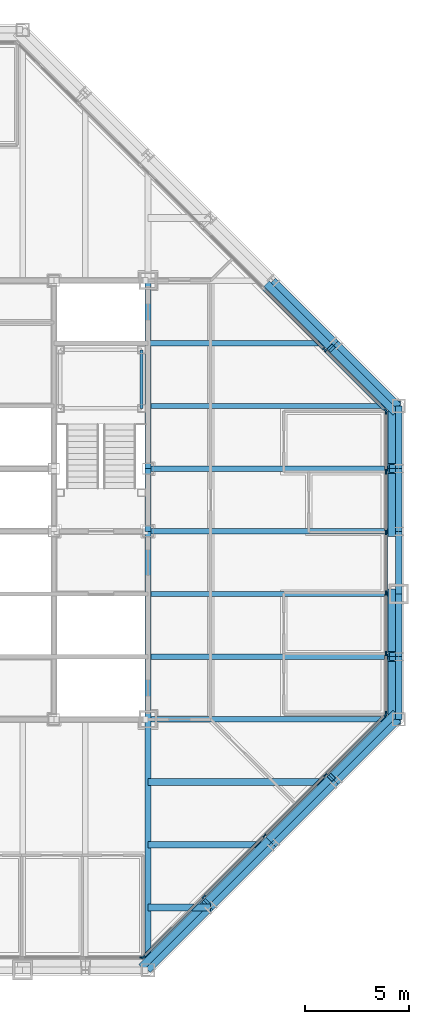
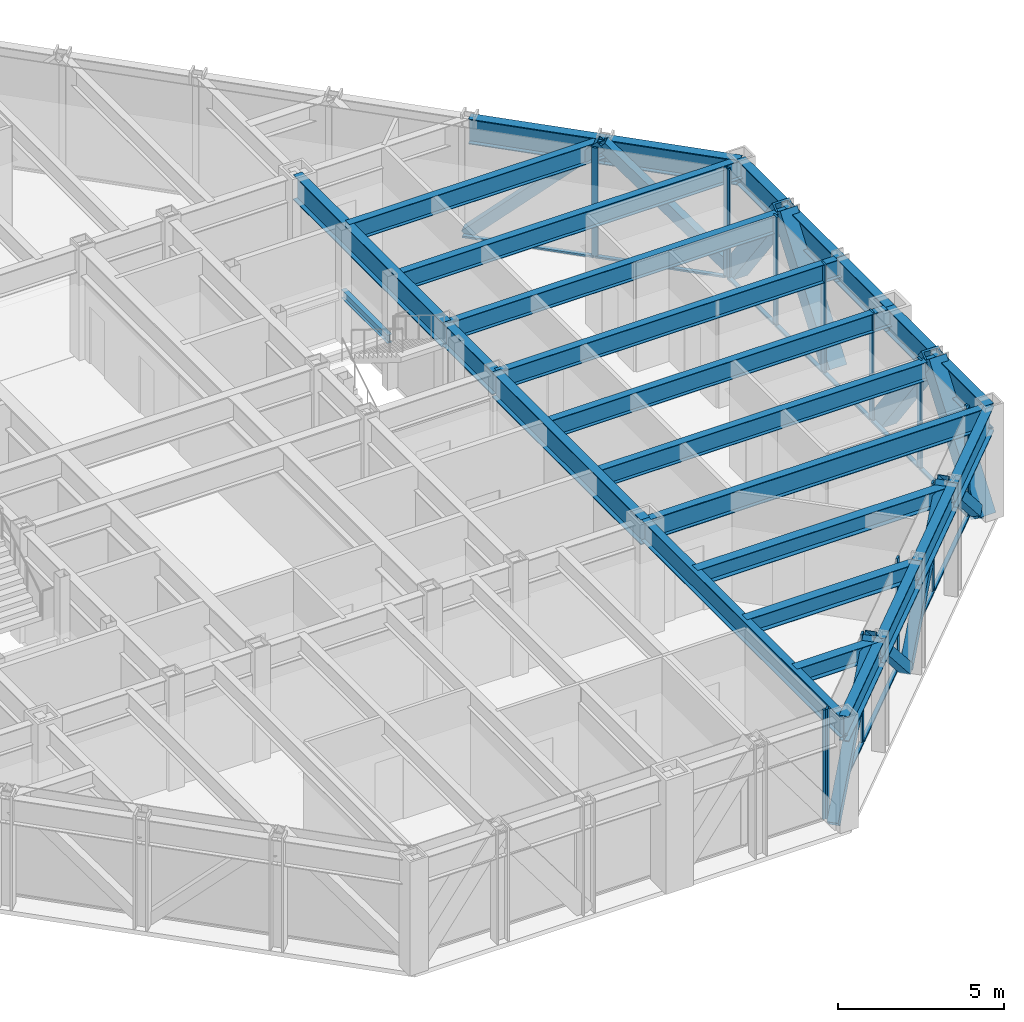
# One storey, part 7 of 16: 35 members, 26 beams, 4 elements without a shape of their own.
"""IFC4 building model written with IfcOpenShell, lengths in metres."""

from ifc_helpers import new_model, si_unit, direction, frame, origin, origin_2d, place, context, subcontext, project, spatial, rectangle, hollow_rectangle, i_section, extrude, material, layer, layer_set, material_profile, profile_set, type_object, element, aggregate, save


model = new_model("IFC4")

# Units and contexts
model_context = context("Model", 3, precision=1e-05, world=origin(), true_north=direction((0.0, 1.0)))
body_context = subcontext(model_context, "Body", "Model", "MODEL_VIEW")
ifc_project = project(units=[si_unit("LENGTHUNIT", "METRE"), si_unit("AREAUNIT", "SQUARE_METRE"), si_unit("VOLUMEUNIT", "CUBIC_METRE"), si_unit("PLANEANGLEUNIT", "RADIAN"), si_unit("MASSUNIT", "GRAM", prefix="KILO")], contexts=[model_context])

# Site, building, storey
site_placement = place(None, origin())
site = spatial("IfcSite", under=ifc_project, at=site_placement, CompositionType="ELEMENT")
building_placement = place(site_placement, origin())
building = spatial("IfcBuilding", under=site, at=building_placement, Name="Chuquiago Exchange Tower", CompositionType="ELEMENT")
storey_placement = place(building_placement, frame((0.0, 0.0, 218.10009765625)))
storey = spatial("IfcBuildingStorey", under=building, at=storey_placement, Name="L48", CompositionType="ELEMENT", Elevation=218.10009765625)

# Beams
ifc_material_1 = material(Name="Steel ASTM A992", Category="steel")
ifc_material_profile_1 = material_profile(ifc_material_1, i_section(OverallWidth=0.25390625, OverallDepth=0.683349609375, WebThickness=0.012451171875, FlangeThickness=0.018798828125, at=origin_2d()), Name="W27X94")
ifc_profile_set_1 = profile_set([ifc_material_profile_1], Name="Steel ASTM A992")
beam_type_1 = type_object("IfcBeamType", Name="B1 W27X94", PredefinedType="BEAM", material=ifc_profile_set_1)
for number, where, z_axis, x_axis, name in (
    (1, (33.0, 15.0, 3.6982421875), (1.0, 0.0, 0.0), (0.0, 1.0, 0.0), "FB-L49-infill-33_15-45_15-0"),
    (2, (33.0, 18.0, 3.6982421875), (1.0, 0.0, 0.0), (0.0, 1.0, 0.0), "FB-L49-infill-33_18-45_18-0"),
    (3, (33.0, 21.0, 3.6982421875), (1.0, 0.0, 0.0), (0.0, 1.0, 0.0), "FB-L49-infill-33_21-45_21-0"),
    (4, (33.0, 24.0, 3.6982421875), (1.0, 0.0, 0.0), (0.0, 1.0, 0.0), "FB-L49-infill-33_24-45_24-0"),
    (5, (33.0, 27.0, 3.6982421875), (1.0, 0.0, 0.0), (0.0, 1.0, 0.0), "FB-L49-infill-33_27-45_27-0"),
):
    element("IfcBeam", number, at=place(storey_placement, frame(where, z_axis=z_axis, x_axis=x_axis)), inside=storey, type_object=beam_type_1, Name=name, PredefinedType="BEAM", context=body_context, shape_type="SweptSolid", body=[
        extrude(i_section(OverallWidth=0.25390625, OverallDepth=0.683349609375, WebThickness=0.012451171875, FlangeThickness=0.018798828125, at=origin_2d()), origin(), (0.0, 0.0, 1.0), 12.0),
    ])
beam_1_placement = place(storey_placement, frame((33.0, 30.0, 3.6982421875), z_axis=(1.0, 0.0, 0.0), x_axis=(0.0, 1.0, 0.0)))
element("IfcBeam", 6, at=beam_1_placement, inside=storey, type_object=beam_type_1, Name="FB-L49-infill-33_30-42_30-0", PredefinedType="BEAM", context=body_context, shape_type="SweptSolid", body=[
    extrude(i_section(OverallWidth=0.25390625, OverallDepth=0.683349609375, WebThickness=0.012451171875, FlangeThickness=0.018798828125, at=origin_2d()), origin(), (0.0, 0.0, 1.0), 9.0),
])
ifc_material_2 = material(Name="Steel ASTM A992", Category="steel")
ifc_material_profile_2 = material_profile(ifc_material_2, i_section(OverallWidth=0.307373046875, OverallDepth=0.927001953125, WebThickness=0.01953125, FlangeThickness=0.031982421875, at=origin_2d()), Name="W36X194")
ifc_profile_set_2 = profile_set([ifc_material_profile_2], Name="Steel ASTM A992")
beam_type_2 = type_object("IfcBeamType", Name="B10 W36X194", PredefinedType="BEAM", material=ifc_profile_set_2)
for number, where, z_axis, x_axis, name in (
    (7, (33.0, 12.0, 3.576416015625), (0.0, 1.0, 0.0), (-1.0, 0.0, 0.0), "CB-L49-33_12-33_21"),
    (8, (33.0, 24.0, 3.576416015625), (0.0, 1.0, 0.0), (-1.0, 0.0, 0.0), "CB-L49-33_24-33_33"),
):
    element("IfcBeam", number, at=place(storey_placement, frame(where, z_axis=z_axis, x_axis=x_axis)), inside=storey, type_object=beam_type_2, Name=name, PredefinedType="BEAM", context=body_context, shape_type="SweptSolid", body=[
        extrude(i_section(OverallWidth=0.307373046875, OverallDepth=0.927001953125, WebThickness=0.01953125, FlangeThickness=0.031982421875, at=origin_2d()), origin(), (0.0, 0.0, 1.0), 9.0),
    ])
ifc_material_3 = material(Name="Steel ASTM A992", Category="steel")
ifc_material_profile_3 = material_profile(ifc_material_3, i_section(OverallWidth=0.3251953125, OverallDepth=0.612060546875, WebThickness=0.0126953125, FlangeThickness=0.01904296875, at=origin_2d()), Name="W24X104")
ifc_profile_set_3 = profile_set([ifc_material_profile_3], Name="Steel ASTM A992")
beam_type_3 = type_object("IfcBeamType", Name="B2 W24X104", PredefinedType="BEAM", material=ifc_profile_set_3)
beam_2_placement = place(storey_placement, frame((33.0, 3.0, 3.73388671875), z_axis=(1.0, 0.0, 0.0), x_axis=(0.0, 1.0, 0.0)))
element("IfcBeam", 9, at=beam_2_placement, inside=storey, type_object=beam_type_3, Name="FB-L49-corner-33_3-36_3-0", PredefinedType="BEAM", context=body_context, shape_type="SweptSolid", body=[
    extrude(i_section(OverallWidth=0.3251953125, OverallDepth=0.612060546875, WebThickness=0.0126953125, FlangeThickness=0.01904296875, at=origin_2d()), origin(), (0.0, 0.0, 1.0), 3.0),
])
beam_3_placement = place(storey_placement, frame((33.0, 6.0, 3.73388671875), z_axis=(1.0, 0.0, 0.0), x_axis=(0.0, 1.0, 0.0)))
element("IfcBeam", 10, at=beam_3_placement, inside=storey, type_object=beam_type_3, Name="FB-L49-corner-33_6-39_6-0", PredefinedType="BEAM", context=body_context, shape_type="SweptSolid", body=[
    extrude(i_section(OverallWidth=0.3251953125, OverallDepth=0.612060546875, WebThickness=0.0126953125, FlangeThickness=0.01904296875, at=origin_2d()), origin(), (0.0, 0.0, 1.0), 6.0),
])
beam_4_placement = place(storey_placement, frame((33.0, 9.0, 3.73388671875), z_axis=(1.0, 0.0, 0.0), x_axis=(0.0, 1.0, 0.0)))
element("IfcBeam", 11, at=beam_4_placement, inside=storey, type_object=beam_type_3, Name="FB-L49-corner-33_9-42_9-0", PredefinedType="BEAM", context=body_context, shape_type="SweptSolid", body=[
    extrude(i_section(OverallWidth=0.3251953125, OverallDepth=0.612060546875, WebThickness=0.0126953125, FlangeThickness=0.01904296875, at=origin_2d()), origin(), (0.0, 0.0, 1.0), 9.0),
])
ifc_material_4 = material(Name="Steel ASTM A992", Category="steel")
ifc_material_profile_4 = material_profile(ifc_material_4, i_section(OverallWidth=0.2919921875, OverallDepth=0.8583984375, WebThickness=0.01708984375, FlangeThickness=0.031005859375, at=origin_2d()), Name="W33X169")
ifc_profile_set_4 = profile_set([ifc_material_profile_4], Name="Steel ASTM A992")
beam_type_4 = type_object("IfcBeamType", Name="B3 W33X169", PredefinedType="BEAM", material=ifc_profile_set_4)
beam_5_placement = place(storey_placement, frame((33.0, 21.0, 3.610595703125), z_axis=(0.0, 1.0, 0.0), x_axis=(-1.0, 0.0, 0.0)))
element("IfcBeam", 12, at=beam_5_placement, inside=storey, type_object=beam_type_4, Name="CB-L49-33_21-33_24", PredefinedType="BEAM", context=body_context, shape_type="SweptSolid", body=[
    extrude(i_section(OverallWidth=0.2919921875, OverallDepth=0.8583984375, WebThickness=0.01708984375, FlangeThickness=0.031005859375, at=origin_2d()), origin(), (0.0, 0.0, 1.0), 3.0),
])

# Curtain wall, member
ifc_material_5 = material(Name="Aluminium curtain wall system", Category="aluminium")
ifc_layer_1 = layer(ifc_material_5, 0.22509765625)
ifc_layer_set_1 = layer_set([ifc_layer_1], Name="CW2 office curtain wall")
curtain_wall_type_1 = type_object("IfcCurtainWallType", Name="CW2 office curtain wall", PredefinedType="NOTDEFINED", material=ifc_layer_set_1)
curtain_wall_1_placement = place(storey_placement, origin())
curtain_wall_1 = element("IfcCurtainWall", 13, at=curtain_wall_1_placement, inside=storey, type_object=curtain_wall_type_1, Name="CW2 curtain wall L48", PredefinedType="NOTDEFINED")
ifc_material_6 = material(Name="Aluminium mullion, pale anodised", Category="aluminium")
ifc_material_profile_5 = material_profile(ifc_material_6, rectangle(XDim=0.06494140625, YDim=0.22509765625, at=origin_2d()), Name="AL 65x225")
ifc_profile_set_5 = profile_set([ifc_material_profile_5], Name="Aluminium mullion, pale anodised")
member_type_1 = type_object("IfcMemberType", Name="CW2-M mullion 65x225", PredefinedType="MULLION", material=ifc_profile_set_5)
member_1_placement = place(storey_placement, frame((32.718994140625, 0.60009765625, 0.0), z_axis=(0.0, 0.0, 1.0), x_axis=(0.0, 1.0, 0.0)))
member_1 = element("IfcMember", 14, at=member_1_placement, type_object=member_type_1, Name="CW2 mullion 6", PredefinedType="MULLION", context=body_context, shape_type="SweptSolid", body=[
    extrude(rectangle(XDim=0.06494140625, YDim=0.22509765625, at=origin_2d()), origin(), (0.0, 0.0, 1.0), 4.039794921875),
])
aggregate(curtain_wall_1, [member_1])

# Curtain wall, members
curtain_wall_2_placement = place(storey_placement, origin())
curtain_wall_2 = element("IfcCurtainWall", 15, at=curtain_wall_2_placement, inside=storey, type_object=curtain_wall_type_1, Name="CW2 curtain wall L48", PredefinedType="NOTDEFINED")
member_2_placement = place(storey_placement, frame((44.39990234375, 12.281005859375, 0.0), z_axis=(0.0, 0.0, 1.0), x_axis=(-1.0, 0.0, 0.0)))
member_2 = element("IfcMember", 16, at=member_2_placement, type_object=member_type_1, Name="CW2 mullion 1", PredefinedType="MULLION", context=body_context, shape_type="SweptSolid", body=[
    extrude(rectangle(XDim=0.06494140625, YDim=0.22509765625, at=origin_2d()), origin(), (0.0, 0.0, 1.0), 4.039794921875),
])
member_3_placement = place(storey_placement, frame((44.39990234375, 15.149169921875, 0.0), z_axis=(0.0, 0.0, 1.0), x_axis=(-1.0, 0.0, 0.0)))
member_3 = element("IfcMember", 17, at=member_3_placement, type_object=member_type_1, Name="CW2 mullion 2", PredefinedType="MULLION", context=body_context, shape_type="SweptSolid", body=[
    extrude(rectangle(XDim=0.06494140625, YDim=0.22509765625, at=origin_2d()), origin(), (0.0, 0.0, 1.0), 4.039794921875),
])
member_4_placement = place(storey_placement, frame((44.39990234375, 18.0498046875, 0.0), z_axis=(0.0, 0.0, 1.0), x_axis=(-1.0, 0.0, 0.0)))
member_4 = element("IfcMember", 18, at=member_4_placement, type_object=member_type_1, Name="CW2 mullion 3", PredefinedType="MULLION", context=body_context, shape_type="SweptSolid", body=[
    extrude(rectangle(XDim=0.06494140625, YDim=0.22509765625, at=origin_2d()), origin(), (0.0, 0.0, 1.0), 4.039794921875),
])
member_5_placement = place(storey_placement, frame((44.39990234375, 20.9501953125, 0.0), z_axis=(0.0, 0.0, 1.0), x_axis=(-1.0, 0.0, 0.0)))
member_5 = element("IfcMember", 19, at=member_5_placement, type_object=member_type_1, Name="CW2 mullion 4", PredefinedType="MULLION", context=body_context, shape_type="SweptSolid", body=[
    extrude(rectangle(XDim=0.06494140625, YDim=0.22509765625, at=origin_2d()), origin(), (0.0, 0.0, 1.0), 4.039794921875),
])
member_6_placement = place(storey_placement, frame((44.39990234375, 23.850830078125, 0.0), z_axis=(0.0, 0.0, 1.0), x_axis=(-1.0, 0.0, 0.0)))
member_6 = element("IfcMember", 20, at=member_6_placement, type_object=member_type_1, Name="CW2 mullion 5", PredefinedType="MULLION", context=body_context, shape_type="SweptSolid", body=[
    extrude(rectangle(XDim=0.06494140625, YDim=0.22509765625, at=origin_2d()), origin(), (0.0, 0.0, 1.0), 4.039794921875),
])
member_7_placement = place(storey_placement, frame((44.39990234375, 26.718994140625, 0.0), z_axis=(0.0, 0.0, 1.0), x_axis=(-1.0, 0.0, 0.0)))
member_7 = element("IfcMember", 21, at=member_7_placement, type_object=member_type_1, Name="CW2 mullion 6", PredefinedType="MULLION", context=body_context, shape_type="SweptSolid", body=[
    extrude(rectangle(XDim=0.06494140625, YDim=0.22509765625, at=origin_2d()), origin(), (0.0, 0.0, 1.0), 4.039794921875),
])
ifc_material_7 = material(Name="Aluminium transom, pale anodised", Category="aluminium")
ifc_material_profile_6 = material_profile(ifc_material_7, rectangle(XDim=0.139892578125, YDim=0.06494140625, at=origin_2d()), Name="AL 140x65")
ifc_profile_set_6 = profile_set([ifc_material_profile_6], Name="Aluminium transom, pale anodised")
member_type_2 = type_object("IfcMemberType", Name="CW2-T transom 65x140", PredefinedType="MULLION", material=ifc_profile_set_6)
member_8_placement = place(storey_placement, frame((44.39990234375, 12.3134765625, 0.032470703125), z_axis=(0.0, 1.0, 0.0), x_axis=(-1.0, 0.0, 0.0)))
member_8 = element("IfcMember", 22, at=member_8_placement, type_object=member_type_2, Name="CW2 transom 1.1", PredefinedType="MULLION", context=body_context, shape_type="SweptSolid", body=[
    extrude(rectangle(XDim=0.139892578125, YDim=0.06494140625, at=origin_2d()), origin(), (0.0, 0.0, 1.0), 2.80322265625),
])
member_9_placement = place(storey_placement, frame((44.39990234375, 15.181640625, 0.032470703125), z_axis=(0.0, 1.0, 0.0), x_axis=(-1.0, 0.0, 0.0)))
member_9 = element("IfcMember", 23, at=member_9_placement, type_object=member_type_2, Name="CW2 transom 2.1", PredefinedType="MULLION", context=body_context, shape_type="SweptSolid", body=[
    extrude(rectangle(XDim=0.139892578125, YDim=0.06494140625, at=origin_2d()), origin(), (0.0, 0.0, 1.0), 2.83544921875),
])
member_10_placement = place(storey_placement, frame((44.39990234375, 18.082275390625, 0.032470703125), z_axis=(0.0, 1.0, 0.0), x_axis=(-1.0, 0.0, 0.0)))
member_10 = element("IfcMember", 24, at=member_10_placement, type_object=member_type_2, Name="CW2 transom 3.1", PredefinedType="MULLION", context=body_context, shape_type="SweptSolid", body=[
    extrude(rectangle(XDim=0.139892578125, YDim=0.06494140625, at=origin_2d()), origin(), (0.0, 0.0, 1.0), 2.83544921875),
])
member_11_placement = place(storey_placement, frame((44.39990234375, 20.98291015625, 0.032470703125), z_axis=(0.0, 1.0, 0.0), x_axis=(-1.0, 0.0, 0.0)))
member_11 = element("IfcMember", 25, at=member_11_placement, type_object=member_type_2, Name="CW2 transom 4.1", PredefinedType="MULLION", context=body_context, shape_type="SweptSolid", body=[
    extrude(rectangle(XDim=0.139892578125, YDim=0.06494140625, at=origin_2d()), origin(), (0.0, 0.0, 1.0), 2.83544921875),
])
member_12_placement = place(storey_placement, frame((44.39990234375, 23.88330078125, 0.032470703125), z_axis=(0.0, 1.0, 0.0), x_axis=(-1.0, 0.0, 0.0)))
member_12 = element("IfcMember", 26, at=member_12_placement, type_object=member_type_2, Name="CW2 transom 5.1", PredefinedType="MULLION", context=body_context, shape_type="SweptSolid", body=[
    extrude(rectangle(XDim=0.139892578125, YDim=0.06494140625, at=origin_2d()), origin(), (0.0, 0.0, 1.0), 2.80322265625),
])
aggregate(curtain_wall_2, [member_2, member_3, member_4, member_5, member_6, member_7, member_8, member_9, member_10, member_11, member_12])

ifc_material_8 = material(Name="Aluminium curtain wall system", Category="aluminium")
ifc_layer_2 = layer(ifc_material_8, 0.199951171875)
ifc_layer_set_2 = layer_set([ifc_layer_2], Name="CW3 facet curtain wall")
curtain_wall_type_2 = type_object("IfcCurtainWallType", Name="CW3 facet curtain wall", PredefinedType="NOTDEFINED", material=ifc_layer_set_2)
curtain_wall_3_placement = place(storey_placement, origin())
curtain_wall_3 = element("IfcCurtainWall", 27, at=curtain_wall_3_placement, inside=storey, type_object=curtain_wall_type_2, Name="CW3 curtain wall L48", PredefinedType="NOTDEFINED")
ifc_material_9 = material(Name="Aluminium mullion, pale anodised", Category="aluminium")
ifc_material_profile_7 = material_profile(ifc_material_9, rectangle(XDim=0.06494140625, YDim=0.199951171875, at=origin_2d()), Name="AL 65x200")
ifc_profile_set_7 = profile_set([ifc_material_profile_7], Name="Aluminium mullion, pale anodised")
member_type_3 = type_object("IfcMemberType", Name="CW3-M mullion 65x200", PredefinedType="MULLION", material=ifc_profile_set_7)
member_13_placement = place(storey_placement, frame((32.7744140625, 0.623046875, 0.0), z_axis=(0.0, 0.0, 1.0), x_axis=(-0.707106781187, 0.707106781187, 0.0)))
member_13 = element("IfcMember", 28, at=member_13_placement, type_object=member_type_3, Name="CW3 mullion 1", PredefinedType="MULLION", context=body_context, shape_type="SweptSolid", body=[
    extrude(rectangle(XDim=0.06494140625, YDim=0.199951171875, at=origin_2d()), origin(), (0.0, 0.0, 1.0), 4.039794921875),
])
member_14_placement = place(storey_placement, frame((35.66357421875, 3.51220703125, 0.0), z_axis=(0.0, 0.0, 1.0), x_axis=(-0.707106781187, 0.707106781187, 0.0)))
member_14 = element("IfcMember", 29, at=member_14_placement, type_object=member_type_3, Name="CW3 mullion 2", PredefinedType="MULLION", context=body_context, shape_type="SweptSolid", body=[
    extrude(rectangle(XDim=0.06494140625, YDim=0.199951171875, at=origin_2d()), origin(), (0.0, 0.0, 1.0), 4.039794921875),
])
member_15_placement = place(storey_placement, frame((38.57568359375, 6.42431640625, 0.0), z_axis=(0.0, 0.0, 1.0), x_axis=(-0.707106781187, 0.707106781187, 0.0)))
member_15 = element("IfcMember", 30, at=member_15_placement, type_object=member_type_3, Name="CW3 mullion 3", PredefinedType="MULLION", context=body_context, shape_type="SweptSolid", body=[
    extrude(rectangle(XDim=0.06494140625, YDim=0.199951171875, at=origin_2d()), origin(), (0.0, 0.0, 1.0), 4.039794921875),
])
member_16_placement = place(storey_placement, frame((41.48779296875, 9.33642578125, 0.0), z_axis=(0.0, 0.0, 1.0), x_axis=(-0.707106781187, 0.707106781187, 0.0)))
member_16 = element("IfcMember", 31, at=member_16_placement, type_object=member_type_3, Name="CW3 mullion 4", PredefinedType="MULLION", context=body_context, shape_type="SweptSolid", body=[
    extrude(rectangle(XDim=0.06494140625, YDim=0.199951171875, at=origin_2d()), origin(), (0.0, 0.0, 1.0), 4.039794921875),
])
member_17_placement = place(storey_placement, frame((44.376953125, 12.2255859375, 0.0), z_axis=(0.0, 0.0, 1.0), x_axis=(-0.707106781187, 0.707106781187, 0.0)))
member_17 = element("IfcMember", 32, at=member_17_placement, type_object=member_type_3, Name="CW3 mullion 5", PredefinedType="MULLION", context=body_context, shape_type="SweptSolid", body=[
    extrude(rectangle(XDim=0.06494140625, YDim=0.199951171875, at=origin_2d()), origin(), (0.0, 0.0, 1.0), 4.039794921875),
])

curtain_wall_4_placement = place(storey_placement, origin())
curtain_wall_4 = element("IfcCurtainWall", 33, at=curtain_wall_4_placement, inside=storey, type_object=curtain_wall_type_2, Name="CW3 curtain wall L48", PredefinedType="NOTDEFINED")
member_18_placement = place(storey_placement, frame((44.376953125, 26.7744140625, 0.0), z_axis=(0.0, 0.0, 1.0), x_axis=(-0.707106781187, -0.707106781187, 0.0)))
member_18 = element("IfcMember", 34, at=member_18_placement, type_object=member_type_3, Name="CW3 mullion 1", PredefinedType="MULLION", context=body_context, shape_type="SweptSolid", body=[
    extrude(rectangle(XDim=0.06494140625, YDim=0.199951171875, at=origin_2d()), origin(), (0.0, 0.0, 1.0), 4.039794921875),
])
member_19_placement = place(storey_placement, frame((41.45849609375, 29.69287109375, 0.0), z_axis=(0.0, 0.0, 1.0), x_axis=(-0.707106781187, -0.707106781187, 0.0)))
member_19 = element("IfcMember", 35, at=member_19_placement, type_object=member_type_3, Name="CW3 mullion 2", PredefinedType="MULLION", context=body_context, shape_type="SweptSolid", body=[
    extrude(rectangle(XDim=0.06494140625, YDim=0.199951171875, at=origin_2d()), origin(), (0.0, 0.0, 1.0), 4.039794921875),
])

# Member
ifc_material_10 = material(Name="Aluminium transom, pale anodised", Category="aluminium")
ifc_material_profile_8 = material_profile(ifc_material_10, rectangle(XDim=0.139892578125, YDim=0.06494140625, at=origin_2d()), Name="AL 140x65")
ifc_profile_set_8 = profile_set([ifc_material_profile_8], Name="Aluminium transom, pale anodised")
member_type_4 = type_object("IfcMemberType", Name="CW3-T transom 65x140", PredefinedType="MULLION", material=ifc_profile_set_8)
member_20_placement = place(storey_placement, frame((32.79736328125, 0.64599609375, 0.032470703125), z_axis=(0.707106781187, 0.707106781187, 0.0), x_axis=(-0.707106781187, 0.707106781187, 0.0)))
member_20 = element("IfcMember", 36, at=member_20_placement, type_object=member_type_4, Name="CW3 transom 1.1", PredefinedType="MULLION", context=body_context, shape_type="SweptSolid", body=[
    extrude(rectangle(XDim=0.139892578125, YDim=0.06494140625, at=origin_2d()), origin(), (0.0, 0.0, 1.0), 4.02099609375),
])

member_21_placement = place(storey_placement, frame((35.6865234375, 3.53515625, 0.032470703125), z_axis=(0.707106781187, 0.707106781187, 0.0), x_axis=(-0.707106781187, 0.707106781187, 0.0)))
member_21 = element("IfcMember", 37, at=member_21_placement, type_object=member_type_4, Name="CW3 transom 2.1", PredefinedType="MULLION", context=body_context, shape_type="SweptSolid", body=[
    extrude(rectangle(XDim=0.139892578125, YDim=0.06494140625, at=origin_2d()), origin(), (0.0, 0.0, 1.0), 4.053466796875),
])

member_22_placement = place(storey_placement, frame((38.5986328125, 6.447265625, 0.032470703125), z_axis=(0.707106781187, 0.707106781187, 0.0), x_axis=(-0.707106781187, 0.707106781187, 0.0)))
member_22 = element("IfcMember", 38, at=member_22_placement, type_object=member_type_4, Name="CW3 transom 3.1", PredefinedType="MULLION", context=body_context, shape_type="SweptSolid", body=[
    extrude(rectangle(XDim=0.139892578125, YDim=0.06494140625, at=origin_2d()), origin(), (0.0, 0.0, 1.0), 4.053466796875),
])

member_23_placement = place(storey_placement, frame((41.5107421875, 9.359375, 0.032470703125), z_axis=(0.707106781187, 0.707106781187, 0.0), x_axis=(-0.707106781187, 0.707106781187, 0.0)))
member_23 = element("IfcMember", 39, at=member_23_placement, type_object=member_type_4, Name="CW3 transom 4.1", PredefinedType="MULLION", context=body_context, shape_type="SweptSolid", body=[
    extrude(rectangle(XDim=0.139892578125, YDim=0.06494140625, at=origin_2d()), origin(), (0.0, 0.0, 1.0), 4.02099609375),
])

aggregate(curtain_wall_3, [member_13, member_14, member_15, member_16, member_17, member_20, member_21, member_22, member_23])

member_24_placement = place(storey_placement, frame((44.35400390625, 26.79736328125, 0.032470703125), z_axis=(-0.707106781187, 0.707106781187, 0.0), x_axis=(-0.707106781187, -0.707106781187, 0.0)))
member_24 = element("IfcMember", 40, at=member_24_placement, type_object=member_type_4, Name="CW3 transom 1.1", PredefinedType="MULLION", context=body_context, shape_type="SweptSolid", body=[
    extrude(rectangle(XDim=0.139892578125, YDim=0.06494140625, at=origin_2d()), origin(), (0.0, 0.0, 1.0), 4.0625),
])

member_25_placement = place(storey_placement, frame((41.435546875, 29.7158203125, 0.032470703125), z_axis=(-0.707106781187, 0.707106781187, 0.0), x_axis=(-0.707106781187, -0.707106781187, 0.0)))
member_25 = element("IfcMember", 41, at=member_25_placement, type_object=member_type_4, Name="CW3 transom 2.1", PredefinedType="MULLION", context=body_context, shape_type="SweptSolid", body=[
    extrude(rectangle(XDim=0.139892578125, YDim=0.06494140625, at=origin_2d()), origin(), (0.0, 0.0, 1.0), 4.094970703125),
])

aggregate(curtain_wall_4, [member_18, member_19, member_24, member_25])

# Beams
ifc_material_11 = material(Name="Steel ASTM A992", Category="steel")
ifc_material_profile_9 = material_profile(ifc_material_11, i_section(OverallWidth=0.2666015625, OverallDepth=0.76953125, WebThickness=0.015625, FlangeThickness=0.025390625, at=origin_2d()), Name="W30X132")
ifc_profile_set_9 = profile_set([ifc_material_profile_9], Name="Steel ASTM A992")
beam_type_5 = type_object("IfcBeamType", Name="G1 W30X132", PredefinedType="BEAM", material=ifc_profile_set_9)
for number, where, z_axis, x_axis, name in (
    (42, (33.0, 12.0, 3.655029296875), (0.0, -1.0, 0.0), (1.0, 0.0, 0.0), "FB-L49-girder-33_12-33_-0-0"),
    (43, (33.0, 12.0, 3.655029296875), (1.0, 0.0, 0.0), (0.0, 1.0, 0.0), "FB-L49-girder-33_12-45_12-0"),
):
    element("IfcBeam", number, at=place(storey_placement, frame(where, z_axis=z_axis, x_axis=x_axis)), inside=storey, type_object=beam_type_5, Name=name, PredefinedType="BEAM", context=body_context, shape_type="SweptSolid", body=[
        extrude(i_section(OverallWidth=0.2666015625, OverallDepth=0.76953125, WebThickness=0.015625, FlangeThickness=0.025390625, at=origin_2d()), origin(), (0.0, 0.0, 1.0), 12.0),
    ])

# Members
ifc_material_12 = material(Name="Steel ASTM A500 Grade C", Category="steel")
ifc_material_profile_10 = material_profile(ifc_material_12, hollow_rectangle(XDim=0.355712890625, YDim=0.355712890625, WallThickness=0.0146484375, at=origin_2d()), Name="HSS14X14X5/8")
ifc_profile_set_10 = profile_set([ifc_material_profile_10], Name="Steel ASTM A500 Grade C")
member_type_5 = type_object("IfcMemberType", Name="LB2 HSS14X14X5/8", PredefinedType="BRACE", material=ifc_profile_set_10)
for number, where, z_axis, x_axis, name in (
    (44, (32.7685546875, 0.2314453125, 0.0), (0.51209198167, 0.51209198167, 0.689582195694), (-0.707106781187, 0.707106781187, 0.0), "LB-L48-33_0-36_3"),
    (45, (38.7685546875, 6.2314453125, 0.0), (-0.51209198167, -0.51209198167, 0.689582195694), (0.707106781187, -0.707106781187, 0.0), "LB-L48-36_3-39_6"),
    (46, (38.7685546875, 6.2314453125, 0.0), (0.51209198167, 0.51209198167, 0.689582195694), (-0.707106781187, 0.707106781187, 0.0), "LB-L48-39_6-42_9"),
    (47, (44.7685546875, 12.2314453125, 0.0), (-0.51209198167, -0.51209198167, 0.689582195694), (0.707106781187, -0.707106781187, 0.0), "LB-L48-42_9-45_12"),
    (48, (44.7685546875, 26.7685546875, 0.0), (-0.51209198167, 0.51209198167, 0.689582195694), (-0.707106781187, -0.707106781187, 0.0), "LB-L48-45_27-42_30"),
    (49, (38.7685546875, 32.7685546875, 0.0), (0.51209198167, -0.51209198167, 0.689582195694), (0.707106781187, 0.707106781187, 0.0), "LB-L48-42_30-39_33"),
):
    element("IfcMember", number, at=place(storey_placement, frame(where, z_axis=z_axis, x_axis=x_axis)), inside=storey, type_object=member_type_5, Name=name, PredefinedType="BRACE", context=body_context, shape_type="SweptSolid", body=[
        extrude(hollow_rectangle(XDim=0.355712890625, YDim=0.355712890625, WallThickness=0.0146484375, at=origin_2d()), origin(), (0.0, 0.0, 1.0), 5.8583984375),
    ])

# Beam
ifc_material_13 = material(Name="Steel ASTM A992", Category="steel")
ifc_material_profile_11 = material_profile(ifc_material_13, i_section(OverallWidth=0.164794921875, OverallDepth=0.309814453125, WebThickness=0.005859375, FlangeThickness=0.009765625, at=origin_2d()), Name="W12X26")
ifc_profile_set_11 = profile_set([ifc_material_profile_11], Name="Steel ASTM A992")
beam_type_6 = type_object("IfcBeamType", Name="LS1 W12X26", PredefinedType="BEAM", material=ifc_profile_set_11)
beam_6_placement = place(storey_placement, frame((32.68994140625, 26.889892578125, 1.7451171875), z_axis=(0.0, 1.0, 0.0), x_axis=(-1.0, 0.0, 0.0)))
element("IfcBeam", 50, at=beam_6_placement, inside=storey, type_object=beam_type_6, Name="Stair ST2 L48 landing 1 stringer", PredefinedType="BEAM", context=body_context, shape_type="SweptSolid", body=[
    extrude(i_section(OverallWidth=0.164794921875, OverallDepth=0.309814453125, WebThickness=0.005859375, FlangeThickness=0.009765625, at=origin_2d()), origin(), (0.0, 0.0, 1.0), 2.800048828125),
])

# Members
ifc_material_14 = material(Name="Steel ASTM A572 Grade 50", Category="steel")
ifc_material_profile_12 = material_profile(ifc_material_14, hollow_rectangle(XDim=0.60009765625, YDim=0.60009765625, WallThickness=0.06005859375, at=origin_2d()), Name="BOX600X600X60")
ifc_profile_set_12 = profile_set([ifc_material_profile_12], Name="Steel ASTM A572 Grade 50")
member_type_6 = type_object("IfcMemberType", Name="MB3 BOX600X600X60", PredefinedType="BRACE", material=ifc_profile_set_12)
for number, where, z_axis, x_axis, name in (
    (51, (44.794921875, 12.0, 0.0), (0.0, 0.596197146086, 0.802838067732), (-1.0, 0.0, 0.0), "Mega diagonal L48 E face"),
    (52, (44.794921875, 18.0, 0.0), (0.0, -0.596197146086, 0.802838067732), (1.0, 0.0, 0.0), "Mega diagonal L48 E face"),
    (53, (44.794921875, 21.0, 0.0), (0.0, 0.596197146086, 0.802838067732), (-1.0, 0.0, 0.0), "Mega diagonal L48 E face"),
    (54, (44.794921875, 27.0, 0.0), (0.0, -0.596197146086, 0.802838067732), (1.0, 0.0, 0.0), "Mega diagonal L48 E face"),
):
    element("IfcMember", number, at=place(storey_placement, frame(where, z_axis=z_axis, x_axis=x_axis)), inside=storey, type_object=member_type_6, Name=name, PredefinedType="BRACE", context=body_context, shape_type="SweptSolid", body=[
        extrude(hollow_rectangle(XDim=0.60009765625, YDim=0.60009765625, WallThickness=0.06005859375, at=origin_2d()), origin(), (0.0, 0.0, 1.0), 5.031982421875),
    ])

# Beams
ifc_material_15 = material(Name="Steel ASTM A992", Category="steel")
ifc_material_profile_13 = material_profile(ifc_material_15, i_section(OverallWidth=0.307373046875, OverallDepth=0.927001953125, WebThickness=0.01953125, FlangeThickness=0.031982421875, at=origin_2d()), Name="W36X194")
ifc_profile_set_13 = profile_set([ifc_material_profile_13], Name="Steel ASTM A992")
beam_type_7 = type_object("IfcBeamType", Name="SP3 W36X194", PredefinedType="SPANDREL", material=ifc_profile_set_13)
for number, where, z_axis, x_axis, name in (
    (55, (33.0, 0.0, 3.576416015625), (0.707106781187, 0.707106781187, 0.0), (-0.707106781187, 0.707106781187, 0.0), "SPB-L49-33_0-36_3"),
    (56, (36.0, 3.0, 3.576416015625), (0.707106781187, 0.707106781187, 0.0), (-0.707106781187, 0.707106781187, 0.0), "SPB-L49-36_3-39_6"),
    (57, (39.0, 6.0, 3.576416015625), (0.707106781187, 0.707106781187, 0.0), (-0.707106781187, 0.707106781187, 0.0), "SPB-L49-39_6-42_9"),
    (58, (42.0, 9.0, 3.576416015625), (0.707106781187, 0.707106781187, 0.0), (-0.707106781187, 0.707106781187, 0.0), "SPB-L49-42_9-45_12"),
):
    element("IfcBeam", number, at=place(storey_placement, frame(where, z_axis=z_axis, x_axis=x_axis)), inside=storey, type_object=beam_type_7, Name=name, PredefinedType="SPANDREL", context=body_context, shape_type="SweptSolid", body=[
        extrude(i_section(OverallWidth=0.307373046875, OverallDepth=0.927001953125, WebThickness=0.01953125, FlangeThickness=0.031982421875, at=origin_2d()), origin(), (0.0, 0.0, 1.0), 4.24267578125),
    ])
for number, where, z_axis, x_axis, name in (
    (59, (45.0, 12.0, 3.576416015625), (0.0, 1.0, 0.0), (-1.0, 0.0, 0.0), "SPB-L49-45_12-45_15"),
    (60, (45.0, 15.0, 3.576416015625), (0.0, 1.0, 0.0), (-1.0, 0.0, 0.0), "SPB-L49-45_15-45_18"),
    (61, (45.0, 18.0, 3.576416015625), (0.0, 1.0, 0.0), (-1.0, 0.0, 0.0), "SPB-L49-45_18-45_21"),
    (62, (45.0, 21.0, 3.576416015625), (0.0, 1.0, 0.0), (-1.0, 0.0, 0.0), "SPB-L49-45_21-45_24"),
    (63, (45.0, 24.0, 3.576416015625), (0.0, 1.0, 0.0), (-1.0, 0.0, 0.0), "SPB-L49-45_24-45_27"),
):
    element("IfcBeam", number, at=place(storey_placement, frame(where, z_axis=z_axis, x_axis=x_axis)), inside=storey, type_object=beam_type_7, Name=name, PredefinedType="SPANDREL", context=body_context, shape_type="SweptSolid", body=[
        extrude(i_section(OverallWidth=0.307373046875, OverallDepth=0.927001953125, WebThickness=0.01953125, FlangeThickness=0.031982421875, at=origin_2d()), origin(), (0.0, 0.0, 1.0), 3.0),
    ])
for number, where, z_axis, x_axis, name in (
    (64, (45.0, 27.0, 3.576416015625), (-0.707106781187, 0.707106781187, 0.0), (-0.707106781187, -0.707106781187, 0.0), "SPB-L49-45_27-42_30"),
    (65, (42.0, 30.0, 3.576416015625), (-0.707106781187, 0.707106781187, 0.0), (-0.707106781187, -0.707106781187, 0.0), "SPB-L49-42_30-39_33"),
):
    element("IfcBeam", number, at=place(storey_placement, frame(where, z_axis=z_axis, x_axis=x_axis)), inside=storey, type_object=beam_type_7, Name=name, PredefinedType="SPANDREL", context=body_context, shape_type="SweptSolid", body=[
        extrude(i_section(OverallWidth=0.307373046875, OverallDepth=0.927001953125, WebThickness=0.01953125, FlangeThickness=0.031982421875, at=origin_2d()), origin(), (0.0, 0.0, 1.0), 4.24267578125),
    ])

save(model, "model.ifc")
